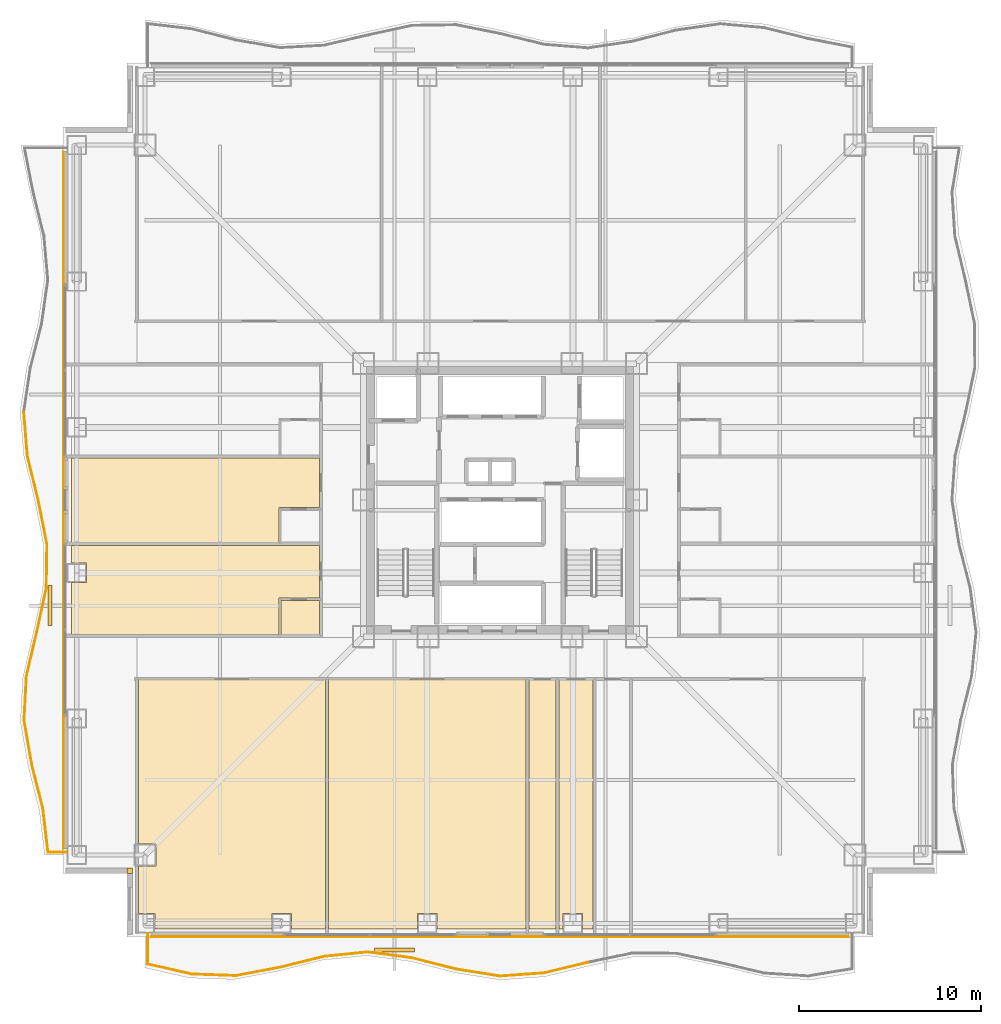
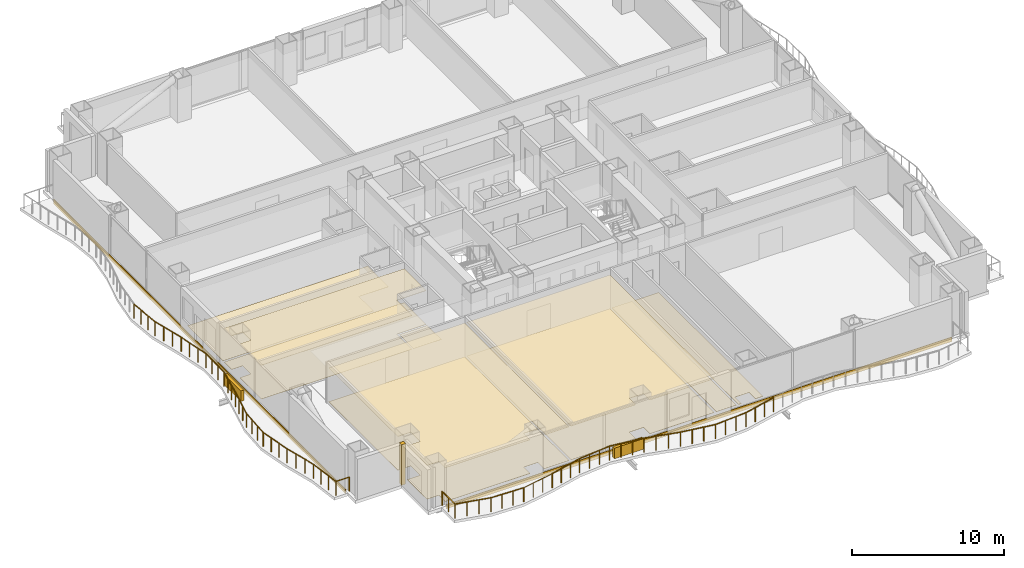
# One storey, part 18 of 24: 22 railings, 13 coverings, 2 shading devices.
"""IFC4 building model written with IfcOpenShell, lengths in metres."""

from ifc_helpers import new_model, si_unit, direction, frame, frame_2d, origin, origin_2d, place, context, subcontext, project, spatial, polyline, rectangle, circle, outline, extrude, material, layer, layer_set, type_object, element, save


model = new_model("IFC4")

# Units and contexts
model_context = context("Model", 3, precision=1e-05, world=origin(), true_north=direction((0.0, 1.0)))
body_context = subcontext(model_context, "Body", "Model", "MODEL_VIEW")
ifc_project = project(units=[si_unit("LENGTHUNIT", "METRE"), si_unit("AREAUNIT", "SQUARE_METRE"), si_unit("VOLUMEUNIT", "CUBIC_METRE"), si_unit("PLANEANGLEUNIT", "RADIAN"), si_unit("MASSUNIT", "GRAM", prefix="KILO")], contexts=[model_context])

# Site, building, storey
site_placement = place(None, origin())
site = spatial("IfcSite", under=ifc_project, at=site_placement, CompositionType="ELEMENT")
building_placement = place(site_placement, origin())
building = spatial("IfcBuilding", under=site, at=building_placement, Name="Trevonay Congress Spire", CompositionType="ELEMENT")
storey_placement = place(building_placement, frame((0.0, 0.0, 55.0)))
storey = spatial("IfcBuildingStorey", under=building, at=storey_placement, Name="L13", CompositionType="ELEMENT", Elevation=55.0)

# Coverings
ifc_material_1 = material(Name="Acoustic Mineral Fibre Board", Category="gypsum")
ifc_layer_1 = layer(ifc_material_1, 0.02490234375, Name="Acoustic Mineral Fibre Board")
ifc_layer_set_1 = layer_set([ifc_layer_1], Name="Acoustic Mineral Fibre Board")
covering_type_1 = type_object("IfcCoveringType", Name="COV-CEIL-ACOUSTIC", PredefinedType="CEILING", material=ifc_layer_set_1)
covering_1_placement = place(storey_placement, frame((0.0, 0.0, 2.699951171875)))
element("IfcCovering", 1, at=covering_1_placement, inside=storey, type_object=covering_type_1, Name="L13 Thermal Hydrotherapy Spa Lounge acoustic suspended ceiling", PredefinedType="CEILING", context=body_context, shape_type="SweptSolid", body=[
    extrude(outline(polyline([(-18.965087890625, -23.550048828125), (-18.965087890625, -22.715087890625), (-19.8701171875, -22.715087890625), (-19.8701171875, -20.110107421875), (-18.889892578125, -20.110107421875), (-18.889892578125, -18.889892578125), (-19.8701171875, -18.889892578125), (-19.8701171875, -9.830078125), (-9.580078125, -9.830078125), (-9.580078125, -23.550048828125), (-11.465087890625, -23.550048828125), (-11.465087890625, -22.715087890625), (-12.534912109375, -22.715087890625), (-12.534912109375, -23.550048828125), (-18.965087890625, -23.550048828125)])), origin(), (0.0, 0.0, 1.0), 0.025146484375),
])
covering_2_placement = place(storey_placement, frame((0.0, 0.0, 2.699951171875)))
element("IfcCovering", 2, at=covering_2_placement, inside=storey, type_object=covering_type_1, Name="L13 Wellness Yoga and Pilates Lounge acoustic suspended ceiling", PredefinedType="CEILING", context=body_context, shape_type="SweptSolid", body=[
    extrude(outline(polyline([(-9.419921875, -23.550048828125), (-9.419921875, -9.830078125), (1.419921875, -9.830078125), (1.419921875, -23.550048828125), (-3.465087890625, -23.550048828125), (-3.465087890625, -22.715087890625), (-4.534912109375, -22.715087890625), (-4.534912109375, -23.550048828125), (-9.419921875, -23.550048828125)])), origin(), (0.0, 0.0, 1.0), 0.025146484375),
])
covering_3_placement = place(storey_placement, frame((0.0, 0.0, 2.699951171875)))
element("IfcCovering", 3, at=covering_3_placement, inside=storey, type_object=covering_type_1, Name="L13 Corner Hotel Suite acoustic suspended ceiling", PredefinedType="CEILING", context=body_context, shape_type="SweptSolid", body=[
    extrude(outline(polyline([(-23.550048828125, -4.534912109375), (-22.715087890625, -4.534912109375), (-22.715087890625, -3.465087890625), (-23.550048828125, -3.465087890625), (-23.550048828125, -2.47998046875), (-9.909912109375, -2.47998046875), (-9.909912109375, -5.3720703125), (-12.139892578125, -5.3720703125), (-12.139892578125, -7.3701171875), (-23.550048828125, -7.3701171875), (-23.550048828125, -4.534912109375)])), origin(), (0.0, 0.0, 1.0), 0.025146484375),
])
ifc_material_2 = material(Name="Polished Granite Floor Tile", Category="masonry")
ifc_layer_2 = layer(ifc_material_2, 0.02001953125, Name="Polished Granite Floor Tile")
ifc_layer_set_2 = layer_set([ifc_layer_2], Name="Polished Granite Floor Tile")
covering_type_2 = type_object("IfcCoveringType", Name="COV-FLOOR-STONE", PredefinedType="FLOORING", material=ifc_layer_set_2)
covering_4_placement = place(storey_placement, origin())
element("IfcCovering", 4, at=covering_4_placement, inside=storey, type_object=covering_type_2, Name="L13 Spa Changing Restroom WC floor finish", PredefinedType="FLOORING", context=body_context, shape_type="SweptSolid", body=[
    extrude(outline(polyline([(1.580078125, -23.550048828125), (3.090087890625, -23.550048828125), (3.090087890625, -9.830078125), (1.580078125, -9.830078125), (1.580078125, -23.550048828125)])), origin(), (0.0, 0.0, 1.0), 0.02001953125),
])
covering_5_placement = place(storey_placement, origin())
element("IfcCovering", 5, at=covering_5_placement, inside=storey, type_object=covering_type_2, Name="L13 Floor Supplies and Copy Room floor finish", PredefinedType="FLOORING", context=body_context, shape_type="SweptSolid", body=[
    extrude(outline(polyline([(3.25, -23.550048828125), (3.25, -9.830078125), (5.1201171875, -9.830078125), (5.1201171875, -23.550048828125), (4.534912109375, -23.550048828125), (4.534912109375, -22.715087890625), (3.465087890625, -22.715087890625), (3.465087890625, -23.550048828125), (3.25, -23.550048828125)])), origin(), (0.0, 0.0, 1.0), 0.02001953125),
])
covering_6_placement = place(storey_placement, origin())
element("IfcCovering", 6, at=covering_6_placement, inside=storey, type_object=covering_type_2, Name="L13 En-suite Bathroom floor finish", PredefinedType="FLOORING", context=body_context, shape_type="SweptSolid", body=[
    extrude(outline(polyline([(-12.02001953125, -7.3701171875), (-9.909912109375, -7.3701171875), (-9.909912109375, -5.511962890625), (-12.02001953125, -5.511962890625), (-12.02001953125, -7.3701171875)])), origin(), (0.0, 0.0, 1.0), 0.02001953125),
])
ifc_material_3 = material(Name="Engineered Oak Flooring", Category="wood")
ifc_layer_3 = layer(ifc_material_3, 0.01806640625, Name="Engineered Oak Flooring")
ifc_layer_set_3 = layer_set([ifc_layer_3], Name="Engineered Oak Flooring")
covering_type_3 = type_object("IfcCoveringType", Name="COV-FLOOR-TIMBER", PredefinedType="FLOORING", material=ifc_layer_set_3)
covering_7_placement = place(storey_placement, origin())
element("IfcCovering", 7, at=covering_7_placement, inside=storey, type_object=covering_type_3, Name="L13 Thermal Hydrotherapy Spa Lounge floor finish", PredefinedType="FLOORING", context=body_context, shape_type="SweptSolid", body=[
    extrude(outline(polyline([(-18.965087890625, -23.550048828125), (-18.965087890625, -22.715087890625), (-19.8701171875, -22.715087890625), (-19.8701171875, -20.110107421875), (-18.889892578125, -20.110107421875), (-18.889892578125, -18.889892578125), (-19.8701171875, -18.889892578125), (-19.8701171875, -9.830078125), (-9.580078125, -9.830078125), (-9.580078125, -23.550048828125), (-11.465087890625, -23.550048828125), (-11.465087890625, -22.715087890625), (-12.534912109375, -22.715087890625), (-12.534912109375, -23.550048828125), (-18.965087890625, -23.550048828125)])), origin(), (0.0, 0.0, 1.0), 0.01806640625),
])
covering_8_placement = place(storey_placement, origin())
element("IfcCovering", 8, at=covering_8_placement, inside=storey, type_object=covering_type_3, Name="L13 Wellness Yoga and Pilates Lounge floor finish", PredefinedType="FLOORING", context=body_context, shape_type="SweptSolid", body=[
    extrude(outline(polyline([(-9.419921875, -23.550048828125), (-9.419921875, -9.830078125), (1.419921875, -9.830078125), (1.419921875, -23.550048828125), (-3.465087890625, -23.550048828125), (-3.465087890625, -22.715087890625), (-4.534912109375, -22.715087890625), (-4.534912109375, -23.550048828125), (-9.419921875, -23.550048828125)])), origin(), (0.0, 0.0, 1.0), 0.01806640625),
])
covering_9_placement = place(storey_placement, origin())
element("IfcCovering", 9, at=covering_9_placement, inside=storey, type_object=covering_type_3, Name="L13 Corner Hotel Suite floor finish", PredefinedType="FLOORING", context=body_context, shape_type="SweptSolid", body=[
    extrude(outline(polyline([(-23.550048828125, -4.534912109375), (-22.715087890625, -4.534912109375), (-22.715087890625, -3.465087890625), (-23.550048828125, -3.465087890625), (-23.550048828125, -2.47998046875), (-9.909912109375, -2.47998046875), (-9.909912109375, -5.3720703125), (-12.139892578125, -5.3720703125), (-12.139892578125, -7.3701171875), (-23.550048828125, -7.3701171875), (-23.550048828125, -4.534912109375)])), origin(), (0.0, 0.0, 1.0), 0.01806640625),
])
covering_10_placement = place(storey_placement, origin())
element("IfcCovering", 10, at=covering_10_placement, inside=storey, type_object=covering_type_3, Name="L13 Corner Hotel Suite floor finish", PredefinedType="FLOORING", context=body_context, shape_type="SweptSolid", body=[
    extrude(outline(polyline([(-23.550048828125, -2.320068359375), (-23.550048828125, 2.320068359375), (-9.909912109375, 2.320068359375), (-9.909912109375, -0.4169921875), (-12.139892578125, -0.4169921875), (-12.139892578125, -2.320068359375), (-23.550048828125, -2.320068359375)])), origin(), (0.0, 0.0, 1.0), 0.01806640625),
])
ifc_material_4 = material(Name="Pale Anodised Aluminium EN AW-6063-T6", Category="aluminium")
ifc_layer_4 = layer(ifc_material_4, 0.0400390625, Name="Pale Anodised Aluminium EN AW-6063-T6")
ifc_layer_set_4 = layer_set([ifc_layer_4], Name="Pale Anodised Aluminium EN AW-6063-T6")
covering_type_4 = type_object("IfcCoveringType", Name="COV-SPANDREL-PALE-METAL", PredefinedType="CLADDING", material=ifc_layer_set_4)
for number, where, z_axis, x_axis, name in (
    (11, (-19.14990234375, -23.97998046875, -0.239990234375), (0.0, 0.0, 1.0), (1.0, 0.0, 0.0), "L13 S pale-metal slab-edge spandrel cladding"),
    (12, (-23.97998046875, -19.14990234375, -0.239990234375), (0.0, 0.0, 1.0), (0.0, 1.0, 0.0), "L13 W pale-metal slab-edge spandrel cladding"),
):
    element("IfcCovering", number, at=place(storey_placement, frame(where, z_axis=z_axis, x_axis=x_axis)), inside=storey, type_object=covering_type_4, Name=name, PredefinedType="CLADDING", context=body_context, shape_type="SweptSolid", body=[
        extrude(rectangle(XDim=38.2998046875, YDim=0.0400390625, at=frame_2d((19.14990234375, 0.0))), origin(), (0.0, 0.0, 1.0), 0.360107421875),
    ])
covering_11_placement = place(storey_placement, origin())
element("IfcCovering", 13, at=covering_11_placement, inside=storey, type_object=covering_type_4, Name="L13 SW re-entrant notch corner closure trim", PredefinedType="CLADDING", context=body_context, shape_type="SweptSolid", body=[
    extrude(outline(polyline([(-20.5, -20.5), (-20.199951171875, -20.5), (-20.199951171875, -20.199951171875), (-20.5, -20.199951171875), (-20.5, -20.5)])), origin(), (0.0, 0.0, 1.0), 3.25),
])

# Railings
railing_type = type_object("IfcRailingType", Name="RAL-EXT-GUARD-115", PredefinedType="GUARDRAIL", material=ifc_material_4)
railing_1_placement = place(storey_placement, frame((-19.343994140625, -25.493896484375, 0.0)))
element("IfcRailing", 14, at=railing_1_placement, inside=storey, type_object=railing_type, Name="L13 perimeter safety guard GRD-L13-WAV-S-1", PredefinedType="GUARDRAIL", context=body_context, shape_type="SweptSolid", body=[
    extrude(circle(Radius=0.02392578125, at=origin_2d()), frame((0.0, 0.0, 1.1259765625), z_axis=(0.975258447856, -0.221067772156, 0.0), x_axis=(0.221067772156, 0.975258447856, 0.0)), (0.0, 0.0, 1.0), 2.479248046875),
    extrude(circle(Radius=0.02099609375, at=origin_2d()), origin(), (0.0, 0.0, 1.0), 1.101806640625),
    extrude(circle(Radius=0.02099609375, at=origin_2d()), frame((0.805908203125, -0.1826171875, 0.0)), (0.0, 0.0, 1.0), 1.101806640625),
    extrude(circle(Radius=0.02099609375, at=origin_2d()), frame((1.612060546875, -0.365478515625, 0.0)), (0.0, 0.0, 1.0), 1.101806640625),
    extrude(circle(Radius=0.02099609375, at=origin_2d()), frame((2.41796875, -0.548095703125, 0.0)), (0.0, 0.0, 1.0), 1.101806640625),
])
railing_2_placement = place(storey_placement, frame((-16.926025390625, -26.0419921875, 0.0)))
element("IfcRailing", 15, at=railing_2_placement, inside=storey, type_object=railing_type, Name="L13 perimeter safety guard GRD-L13-WAV-S-2", PredefinedType="GUARDRAIL", context=body_context, shape_type="SweptSolid", body=[
    extrude(circle(Radius=0.02392578125, at=origin_2d()), frame((0.0, 0.0, 1.1259765625), z_axis=(0.999411260853, -0.034309352654, 0.0), x_axis=(0.034309352654, 0.999411260853, 0.0)), (0.0, 0.0, 1.0), 2.41943359375),
    extrude(circle(Radius=0.02099609375, at=origin_2d()), origin(), (0.0, 0.0, 1.0), 1.101806640625),
    extrude(circle(Radius=0.02099609375, at=origin_2d()), frame((0.805908203125, -0.027587890625, 0.0)), (0.0, 0.0, 1.0), 1.101806640625),
    extrude(circle(Radius=0.02099609375, at=origin_2d()), frame((1.612060546875, -0.055419921875, 0.0)), (0.0, 0.0, 1.0), 1.101806640625),
    extrude(circle(Radius=0.02099609375, at=origin_2d()), frame((2.41796875, -0.0830078125, 0.0)), (0.0, 0.0, 1.0), 1.101806640625),
])
railing_3_placement = place(storey_placement, frame((-14.508056640625, -26.125, 0.0)))
element("IfcRailing", 16, at=railing_3_placement, inside=storey, type_object=railing_type, Name="L13 perimeter safety guard GRD-L13-WAV-S-3", PredefinedType="GUARDRAIL", context=body_context, shape_type="SweptSolid", body=[
    extrude(circle(Radius=0.02392578125, at=origin_2d()), frame((0.0, 0.0, 1.1259765625), z_axis=(0.982979883593, 0.183713223398, 0.0), x_axis=(-0.183713223398, 0.982979883593, 0.0)), (0.0, 0.0, 1.0), 2.459716796875),
    extrude(circle(Radius=0.02099609375, at=origin_2d()), origin(), (0.0, 0.0, 1.0), 1.101806640625),
    extrude(circle(Radius=0.02099609375, at=origin_2d()), frame((0.805908203125, 0.150634765625, 0.0)), (0.0, 0.0, 1.0), 1.101806640625),
    extrude(circle(Radius=0.02099609375, at=origin_2d()), frame((1.612060546875, 0.30126953125, 0.0)), (0.0, 0.0, 1.0), 1.101806640625),
    extrude(circle(Radius=0.02099609375, at=origin_2d()), frame((2.41796875, 0.451904296875, 0.0)), (0.0, 0.0, 1.0), 1.101806640625),
])
railing_4_placement = place(storey_placement, frame((-12.090087890625, -25.673095703125, 0.0)))
element("IfcRailing", 17, at=railing_4_placement, inside=storey, type_object=railing_type, Name="L13 perimeter safety guard GRD-L13-WAV-S-4", PredefinedType="GUARDRAIL", context=body_context, shape_type="SweptSolid", body=[
    extrude(circle(Radius=0.02392578125, at=origin_2d()), frame((0.0, 0.0, 1.1259765625), z_axis=(0.970280650961, 0.241982351361, 0.0), x_axis=(-0.241982351361, 0.970280650961, 0.0)), (0.0, 0.0, 1.0), 2.491943359375),
    extrude(circle(Radius=0.02099609375, at=origin_2d()), origin(), (0.0, 0.0, 1.0), 1.101806640625),
    extrude(circle(Radius=0.02099609375, at=origin_2d()), frame((0.805908203125, 0.200927734375, 0.0)), (0.0, 0.0, 1.0), 1.101806640625),
    extrude(circle(Radius=0.02099609375, at=origin_2d()), frame((1.612060546875, 0.402099609375, 0.0)), (0.0, 0.0, 1.0), 1.101806640625),
    extrude(circle(Radius=0.02099609375, at=origin_2d()), frame((2.41796875, 0.60302734375, 0.0)), (0.0, 0.0, 1.0), 1.101806640625),
])
railing_5_placement = place(storey_placement, frame((-9.672119140625, -25.070068359375, 0.0)))
element("IfcRailing", 18, at=railing_5_placement, inside=storey, type_object=railing_type, Name="L13 perimeter safety guard GRD-L13-WAV-S-5", PredefinedType="GUARDRAIL", context=body_context, shape_type="SweptSolid", body=[
    extrude(circle(Radius=0.02392578125, at=origin_2d()), frame((0.0, 0.0, 1.1259765625), z_axis=(0.994982337975, 0.100050722728, 0.0), x_axis=(-0.100050722728, 0.994982337975, 0.0)), (0.0, 0.0, 1.0), 2.430419921875),
    extrude(circle(Radius=0.02099609375, at=origin_2d()), origin(), (0.0, 0.0, 1.0), 1.101806640625),
    extrude(circle(Radius=0.02099609375, at=origin_2d()), frame((0.80615234375, 0.0810546875, 0.0)), (0.0, 0.0, 1.0), 1.101806640625),
    extrude(circle(Radius=0.02099609375, at=origin_2d()), frame((1.612060546875, 0.162109375, 0.0)), (0.0, 0.0, 1.0), 1.101806640625),
    extrude(circle(Radius=0.02099609375, at=origin_2d()), frame((2.418212890625, 0.2431640625, 0.0)), (0.0, 0.0, 1.0), 1.101806640625),
])
railing_6_placement = place(storey_placement, frame((-7.25390625, -24.826904296875, 0.0)))
element("IfcRailing", 19, at=railing_6_placement, inside=storey, type_object=railing_type, Name="L13 perimeter safety guard GRD-L13-WAV-S-6", PredefinedType="GUARDRAIL", context=body_context, shape_type="SweptSolid", body=[
    extrude(circle(Radius=0.02392578125, at=origin_2d()), frame((0.0, 0.0, 1.1259765625), z_axis=(0.99119553064, -0.132406268885, 0.0), x_axis=(0.132406268885, 0.99119553064, 0.0)), (0.0, 0.0, 1.0), 2.439453125),
    extrude(circle(Radius=0.02099609375, at=origin_2d()), origin(), (0.0, 0.0, 1.0), 1.101806640625),
    extrude(circle(Radius=0.02099609375, at=origin_2d()), frame((0.805908203125, -0.107666015625, 0.0)), (0.0, 0.0, 1.0), 1.101806640625),
    extrude(circle(Radius=0.02099609375, at=origin_2d()), frame((1.612060546875, -0.21533203125, 0.0)), (0.0, 0.0, 1.0), 1.101806640625),
    extrude(circle(Radius=0.02099609375, at=origin_2d()), frame((2.41796875, -0.322998046875, 0.0)), (0.0, 0.0, 1.0), 1.101806640625),
])
railing_7_placement = place(storey_placement, frame((-4.8359375, -25.14990234375, 0.0)))
element("IfcRailing", 20, at=railing_7_placement, inside=storey, type_object=railing_type, Name="L13 perimeter safety guard GRD-L13-WAV-S-7", PredefinedType="GUARDRAIL", context=body_context, shape_type="SweptSolid", body=[
    extrude(circle(Radius=0.02392578125, at=origin_2d()), frame((0.0, 0.0, 1.1259765625), z_axis=(0.969144366624, -0.246493806495, 0.0), x_axis=(0.246493806495, 0.969144366624, 0.0)), (0.0, 0.0, 1.0), 2.494873046875),
    extrude(circle(Radius=0.02099609375, at=origin_2d()), origin(), (0.0, 0.0, 1.0), 1.101806640625),
    extrude(circle(Radius=0.02099609375, at=origin_2d()), frame((0.805908203125, -0.205078125, 0.0)), (0.0, 0.0, 1.0), 1.101806640625),
    extrude(circle(Radius=0.02099609375, at=origin_2d()), frame((1.612060546875, -0.409912109375, 0.0)), (0.0, 0.0, 1.0), 1.101806640625),
    extrude(circle(Radius=0.02099609375, at=origin_2d()), frame((2.41796875, -0.614990234375, 0.0)), (0.0, 0.0, 1.0), 1.101806640625),
])
railing_8_placement = place(storey_placement, frame((-2.41796875, -25.764892578125, 0.0)))
element("IfcRailing", 21, at=railing_8_placement, inside=storey, type_object=railing_type, Name="L13 perimeter safety guard GRD-L13-WAV-S-8", PredefinedType="GUARDRAIL", context=body_context, shape_type="SweptSolid", body=[
    extrude(circle(Radius=0.02392578125, at=origin_2d()), frame((0.0, 0.0, 1.1259765625), z_axis=(0.987497188341, -0.157636617, 0.0), x_axis=(0.157636617, 0.987497188341, 0.0)), (0.0, 0.0, 1.0), 2.448486328125),
    extrude(circle(Radius=0.02099609375, at=origin_2d()), origin(), (0.0, 0.0, 1.0), 1.101806640625),
    extrude(circle(Radius=0.02099609375, at=origin_2d()), frame((0.805908203125, -0.128662109375, 0.0)), (0.0, 0.0, 1.0), 1.101806640625),
    extrude(circle(Radius=0.02099609375, at=origin_2d()), frame((1.612060546875, -0.25732421875, 0.0)), (0.0, 0.0, 1.0), 1.101806640625),
    extrude(circle(Radius=0.02099609375, at=origin_2d()), frame((2.41796875, -0.385986328125, 0.0)), (0.0, 0.0, 1.0), 1.101806640625),
])
railing_9_placement = place(storey_placement, frame((0.0, -26.15087890625, 0.0)))
element("IfcRailing", 22, at=railing_9_placement, inside=storey, type_object=railing_type, Name="L13 perimeter safety guard GRD-L13-WAV-S-9", PredefinedType="GUARDRAIL", context=body_context, shape_type="SweptSolid", body=[
    extrude(circle(Radius=0.02392578125, at=origin_2d()), frame((0.0, 0.0, 1.1259765625), z_axis=(0.997483180405, 0.070903489399, 0.0), x_axis=(-0.070903489399, 0.997483180405, 0.0)), (0.0, 0.0, 1.0), 2.424072265625),
    extrude(circle(Radius=0.02099609375, at=origin_2d()), origin(), (0.0, 0.0, 1.0), 1.101806640625),
    extrude(circle(Radius=0.02099609375, at=origin_2d()), frame((0.805908203125, 0.057373046875, 0.0)), (0.0, 0.0, 1.0), 1.101806640625),
    extrude(circle(Radius=0.02099609375, at=origin_2d()), frame((1.612060546875, 0.114501953125, 0.0)), (0.0, 0.0, 1.0), 1.101806640625),
    extrude(circle(Radius=0.02099609375, at=origin_2d()), frame((2.41796875, 0.171875, 0.0)), (0.0, 0.0, 1.0), 1.101806640625),
])
railing_10_placement = place(storey_placement, frame((2.41796875, -25.97900390625, 0.0)))
element("IfcRailing", 23, at=railing_10_placement, inside=storey, type_object=railing_type, Name="L13 perimeter safety guard GRD-L13-WAV-S-10", PredefinedType="GUARDRAIL", context=body_context, shape_type="SweptSolid", body=[
    extrude(circle(Radius=0.02392578125, at=origin_2d()), frame((0.0, 0.0, 1.1259765625), z_axis=(0.972140851438, 0.234397450852, 0.0), x_axis=(-0.234397450852, 0.972140851438, 0.0)), (0.0, 0.0, 1.0), 2.4873046875),
    extrude(circle(Radius=0.02099609375, at=origin_2d()), origin(), (0.0, 0.0, 1.0), 1.101806640625),
    extrude(circle(Radius=0.02099609375, at=origin_2d()), frame((0.805908203125, 0.1943359375, 0.0)), (0.0, 0.0, 1.0), 1.101806640625),
    extrude(circle(Radius=0.02099609375, at=origin_2d()), frame((1.612060546875, 0.388671875, 0.0)), (0.0, 0.0, 1.0), 1.101806640625),
    extrude(circle(Radius=0.02099609375, at=origin_2d()), frame((2.41796875, 0.5830078125, 0.0)), (0.0, 0.0, 1.0), 1.101806640625),
])
railing_11_placement = place(storey_placement, frame((-19.343994140625, -23.80810546875, 0.0)))
element("IfcRailing", 24, at=railing_11_placement, inside=storey, type_object=railing_type, Name="L13 perimeter safety guard GRD-L13-WAV-S-34", PredefinedType="GUARDRAIL", context=body_context, shape_type="SweptSolid", body=[
    extrude(circle(Radius=0.02392578125, at=origin_2d()), frame((0.0, 0.0, 1.1259765625), z_axis=(0.0, -1.0, 0.0), x_axis=(1.0, 0.0, 0.0)), (0.0, 0.0, 1.0), 1.685791015625),
    extrude(circle(Radius=0.02099609375, at=origin_2d()), origin(), (0.0, 0.0, 1.0), 1.101806640625),
    extrude(circle(Radius=0.02099609375, at=origin_2d()), frame((0.0, -0.8427734375, 0.0)), (0.0, 0.0, 1.0), 1.101806640625),
    extrude(circle(Radius=0.02099609375, at=origin_2d()), frame((0.0, -1.685791015625, 0.0)), (0.0, 0.0, 1.0), 1.101806640625),
])
railing_12_placement = place(storey_placement, frame((-26.156982421875, 4.8359375, 0.0)))
element("IfcRailing", 25, at=railing_12_placement, inside=storey, type_object=railing_type, Name="L13 perimeter safety guard GRD-L13-WAV-W-24", PredefinedType="GUARDRAIL", context=body_context, shape_type="SweptSolid", body=[
    extrude(circle(Radius=0.02392578125, at=origin_2d()), frame((0.0, 0.0, 1.1259765625), z_axis=(0.082412561284, -0.996598299087, 0.0), x_axis=(0.996598299087, 0.082412561284, 0.0)), (0.0, 0.0, 1.0), 2.42626953125),
    extrude(circle(Radius=0.02099609375, at=origin_2d()), origin(), (0.0, 0.0, 1.0), 1.101806640625),
    extrude(circle(Radius=0.02099609375, at=origin_2d()), frame((0.066650390625, -0.805908203125, 0.0)), (0.0, 0.0, 1.0), 1.101806640625),
    extrude(circle(Radius=0.02099609375, at=origin_2d()), frame((0.13330078125, -1.612060546875, 0.0)), (0.0, 0.0, 1.0), 1.101806640625),
    extrude(circle(Radius=0.02099609375, at=origin_2d()), frame((0.199951171875, -2.41796875, 0.0)), (0.0, 0.0, 1.0), 1.101806640625),
])
railing_13_placement = place(storey_placement, frame((-25.95703125, 2.41796875, 0.0)))
element("IfcRailing", 26, at=railing_13_placement, inside=storey, type_object=railing_type, Name="L13 perimeter safety guard GRD-L13-WAV-W-25", PredefinedType="GUARDRAIL", context=body_context, shape_type="SweptSolid", body=[
    extrude(circle(Radius=0.02392578125, at=origin_2d()), frame((0.0, 0.0, 1.1259765625), z_axis=(0.238565294418, -0.971126459479, 0.0), x_axis=(0.971126459479, 0.238565294418, 0.0)), (0.0, 0.0, 1.0), 2.48974609375),
    extrude(circle(Radius=0.02099609375, at=origin_2d()), origin(), (0.0, 0.0, 1.0), 1.101806640625),
    extrude(circle(Radius=0.02099609375, at=origin_2d()), frame((0.197998046875, -0.805908203125, 0.0)), (0.0, 0.0, 1.0), 1.101806640625),
    extrude(circle(Radius=0.02099609375, at=origin_2d()), frame((0.39599609375, -1.612060546875, 0.0)), (0.0, 0.0, 1.0), 1.101806640625),
    extrude(circle(Radius=0.02099609375, at=origin_2d()), frame((0.593994140625, -2.41796875, 0.0)), (0.0, 0.0, 1.0), 1.101806640625),
])
railing_14_placement = place(storey_placement, frame((-25.363037109375, 0.0, 0.0)))
element("IfcRailing", 27, at=railing_14_placement, inside=storey, type_object=railing_type, Name="L13 perimeter safety guard GRD-L13-WAV-W-26", PredefinedType="GUARDRAIL", context=body_context, shape_type="SweptSolid", body=[
    extrude(circle(Radius=0.02392578125, at=origin_2d()), frame((0.0, 0.0, 1.1259765625), z_axis=(0.195087646488, -0.980785812595, 0.0), x_axis=(0.980785812595, 0.195087646488, 0.0)), (0.0, 0.0, 1.0), 2.46533203125),
    extrude(circle(Radius=0.02099609375, at=origin_2d()), origin(), (0.0, 0.0, 1.0), 1.101806640625),
    extrude(circle(Radius=0.02099609375, at=origin_2d()), frame((0.160400390625, -0.805908203125, 0.0)), (0.0, 0.0, 1.0), 1.101806640625),
    extrude(circle(Radius=0.02099609375, at=origin_2d()), frame((0.320556640625, -1.612060546875, 0.0)), (0.0, 0.0, 1.0), 1.101806640625),
    extrude(circle(Radius=0.02099609375, at=origin_2d()), frame((0.48095703125, -2.41796875, 0.0)), (0.0, 0.0, 1.0), 1.101806640625),
])
railing_15_placement = place(storey_placement, frame((-24.882080078125, -2.41796875, 0.0)))
element("IfcRailing", 28, at=railing_15_placement, inside=storey, type_object=railing_type, Name="L13 perimeter safety guard GRD-L13-WAV-W-27", PredefinedType="GUARDRAIL", context=body_context, shape_type="SweptSolid", body=[
    extrude(circle(Radius=0.02392578125, at=origin_2d()), frame((0.0, 0.0, 1.1259765625), z_axis=(-0.015648326071, -0.99987755745, 0.0), x_axis=(0.99987755745, -0.015648326071, 0.0)), (0.0, 0.0, 1.0), 2.418212890625),
    extrude(circle(Radius=0.02099609375, at=origin_2d()), origin(), (0.0, 0.0, 1.0), 1.101806640625),
    extrude(circle(Radius=0.02099609375, at=origin_2d()), frame((-0.0126953125, -0.805908203125, 0.0)), (0.0, 0.0, 1.0), 1.101806640625),
    extrude(circle(Radius=0.02099609375, at=origin_2d()), frame((-0.025146484375, -1.612060546875, 0.0)), (0.0, 0.0, 1.0), 1.101806640625),
    extrude(circle(Radius=0.02099609375, at=origin_2d()), frame((-0.037841796875, -2.41796875, 0.0)), (0.0, 0.0, 1.0), 1.101806640625),
])
railing_16_placement = place(storey_placement, frame((-24.919921875, -4.8359375, 0.0)))
element("IfcRailing", 29, at=railing_16_placement, inside=storey, type_object=railing_type, Name="L13 perimeter safety guard GRD-L13-WAV-W-28", PredefinedType="GUARDRAIL", context=body_context, shape_type="SweptSolid", body=[
    extrude(circle(Radius=0.02392578125, at=origin_2d()), frame((0.0, 0.0, 1.1259765625), z_axis=(-0.212237110902, -0.977218199153, 0.0), x_axis=(0.977218199153, -0.212237110902, 0.0)), (0.0, 0.0, 1.0), 2.474365234375),
    extrude(circle(Radius=0.02099609375, at=origin_2d()), origin(), (0.0, 0.0, 1.0), 1.101806640625),
    extrude(circle(Radius=0.02099609375, at=origin_2d()), frame((-0.175048828125, -0.805908203125, 0.0)), (0.0, 0.0, 1.0), 1.101806640625),
    extrude(circle(Radius=0.02099609375, at=origin_2d()), frame((-0.35009765625, -1.612060546875, 0.0)), (0.0, 0.0, 1.0), 1.101806640625),
    extrude(circle(Radius=0.02099609375, at=origin_2d()), frame((-0.525146484375, -2.41796875, 0.0)), (0.0, 0.0, 1.0), 1.101806640625),
])
railing_17_placement = place(storey_placement, frame((-25.445068359375, -7.25390625, 0.0)))
element("IfcRailing", 30, at=railing_17_placement, inside=storey, type_object=railing_type, Name="L13 perimeter safety guard GRD-L13-WAV-W-29", PredefinedType="GUARDRAIL", context=body_context, shape_type="SweptSolid", body=[
    extrude(circle(Radius=0.02392578125, at=origin_2d()), frame((0.0, 0.0, 1.1259765625), z_axis=(-0.228239366382, -0.9736050491, 0.0), x_axis=(0.9736050491, -0.228239366382, 0.0)), (0.0, 0.0, 1.0), 2.48388671875),
    extrude(circle(Radius=0.02099609375, at=origin_2d()), origin(), (0.0, 0.0, 1.0), 1.101806640625),
    extrude(circle(Radius=0.02099609375, at=origin_2d()), frame((-0.18896484375, -0.80615234375, 0.0)), (0.0, 0.0, 1.0), 1.101806640625),
    extrude(circle(Radius=0.02099609375, at=origin_2d()), frame((-0.3779296875, -1.612060546875, 0.0)), (0.0, 0.0, 1.0), 1.101806640625),
    extrude(circle(Radius=0.02099609375, at=origin_2d()), frame((-0.56689453125, -2.418212890625, 0.0)), (0.0, 0.0, 1.0), 1.101806640625),
])
railing_18_placement = place(storey_placement, frame((-26.011962890625, -9.672119140625, 0.0)))
element("IfcRailing", 31, at=railing_18_placement, inside=storey, type_object=railing_type, Name="L13 perimeter safety guard GRD-L13-WAV-W-30", PredefinedType="GUARDRAIL", context=body_context, shape_type="SweptSolid", body=[
    extrude(circle(Radius=0.02392578125, at=origin_2d()), frame((0.0, 0.0, 1.1259765625), z_axis=(-0.05283401992, -0.998603307795, 0.0), x_axis=(0.998603307795, -0.05283401992, 0.0)), (0.0, 0.0, 1.0), 2.42138671875),
    extrude(circle(Radius=0.02099609375, at=origin_2d()), origin(), (0.0, 0.0, 1.0), 1.101806640625),
    extrude(circle(Radius=0.02099609375, at=origin_2d()), frame((-0.042724609375, -0.805908203125, 0.0)), (0.0, 0.0, 1.0), 1.101806640625),
    extrude(circle(Radius=0.02099609375, at=origin_2d()), frame((-0.085205078125, -1.612060546875, 0.0)), (0.0, 0.0, 1.0), 1.101806640625),
    extrude(circle(Radius=0.02099609375, at=origin_2d()), frame((-0.1279296875, -2.41796875, 0.0)), (0.0, 0.0, 1.0), 1.101806640625),
])
railing_19_placement = place(storey_placement, frame((-26.139892578125, -12.090087890625, 0.0)))
element("IfcRailing", 32, at=railing_19_placement, inside=storey, type_object=railing_type, Name="L13 perimeter safety guard GRD-L13-WAV-W-31", PredefinedType="GUARDRAIL", context=body_context, shape_type="SweptSolid", body=[
    extrude(circle(Radius=0.02392578125, at=origin_2d()), frame((0.0, 0.0, 1.1259765625), z_axis=(0.171106067872, -0.985252614073, 0.0), x_axis=(0.985252614073, 0.171106067872, 0.0)), (0.0, 0.0, 1.0), 2.4541015625),
    extrude(circle(Radius=0.02099609375, at=origin_2d()), origin(), (0.0, 0.0, 1.0), 1.101806640625),
    extrude(circle(Radius=0.02099609375, at=origin_2d()), frame((0.139892578125, -0.805908203125, 0.0)), (0.0, 0.0, 1.0), 1.101806640625),
    extrude(circle(Radius=0.02099609375, at=origin_2d()), frame((0.280029296875, -1.612060546875, 0.0)), (0.0, 0.0, 1.0), 1.101806640625),
    extrude(circle(Radius=0.02099609375, at=origin_2d()), frame((0.419921875, -2.41796875, 0.0)), (0.0, 0.0, 1.0), 1.101806640625),
])
railing_20_placement = place(storey_placement, frame((-25.719970703125, -14.508056640625, 0.0)))
element("IfcRailing", 33, at=railing_20_placement, inside=storey, type_object=railing_type, Name="L13 perimeter safety guard GRD-L13-WAV-W-32", PredefinedType="GUARDRAIL", context=body_context, shape_type="SweptSolid", body=[
    extrude(circle(Radius=0.02392578125, at=origin_2d()), frame((0.0, 0.0, 1.1259765625), z_axis=(0.245022423467, -0.969517411911, 0.0), x_axis=(0.969517411911, 0.245022423467, 0.0)), (0.0, 0.0, 1.0), 2.493896484375),
    extrude(circle(Radius=0.02099609375, at=origin_2d()), origin(), (0.0, 0.0, 1.0), 1.101806640625),
    extrude(circle(Radius=0.02099609375, at=origin_2d()), frame((0.20361328125, -0.805908203125, 0.0)), (0.0, 0.0, 1.0), 1.101806640625),
    extrude(circle(Radius=0.02099609375, at=origin_2d()), frame((0.407470703125, -1.612060546875, 0.0)), (0.0, 0.0, 1.0), 1.101806640625),
    extrude(circle(Radius=0.02099609375, at=origin_2d()), frame((0.611083984375, -2.41796875, 0.0)), (0.0, 0.0, 1.0), 1.101806640625),
])
railing_21_placement = place(storey_placement, frame((-25.10888671875, -16.926025390625, 0.0)))
element("IfcRailing", 34, at=railing_21_placement, inside=storey, type_object=railing_type, Name="L13 perimeter safety guard GRD-L13-WAV-W-33", PredefinedType="GUARDRAIL", context=body_context, shape_type="SweptSolid", body=[
    extrude(circle(Radius=0.02392578125, at=origin_2d()), frame((0.0, 0.0, 1.1259765625), z_axis=(0.116625967358, -0.993175907751, 0.0), x_axis=(0.993175907751, 0.116625967358, 0.0)), (0.0, 0.0, 1.0), 2.4345703125),
    extrude(circle(Radius=0.02099609375, at=origin_2d()), origin(), (0.0, 0.0, 1.0), 1.101806640625),
    extrude(circle(Radius=0.02099609375, at=origin_2d()), frame((0.0947265625, -0.805908203125, 0.0)), (0.0, 0.0, 1.0), 1.101806640625),
    extrude(circle(Radius=0.02099609375, at=origin_2d()), frame((0.189208984375, -1.612060546875, 0.0)), (0.0, 0.0, 1.0), 1.101806640625),
    extrude(circle(Radius=0.02099609375, at=origin_2d()), frame((0.283935546875, -2.41796875, 0.0)), (0.0, 0.0, 1.0), 1.101806640625),
])
railing_22_placement = place(storey_placement, frame((-24.824951171875, -19.343994140625, 0.0)))
element("IfcRailing", 35, at=railing_22_placement, inside=storey, type_object=railing_type, Name="L13 perimeter safety guard GRD-L13-WAV-W-34", PredefinedType="GUARDRAIL", context=body_context, shape_type="SweptSolid", body=[
    extrude(circle(Radius=0.02392578125, at=origin_2d()), frame((0.0, 0.0, 1.1259765625), z_axis=(1.0, 0.0, 0.0), x_axis=(0.0, 1.0, 0.0)), (0.0, 0.0, 1.0), 1.016845703125),
    extrude(circle(Radius=0.02099609375, at=origin_2d()), origin(), (0.0, 0.0, 1.0), 1.101806640625),
    extrude(circle(Radius=0.02099609375, at=origin_2d()), frame((1.016845703125, 0.0, 0.0)), (0.0, 0.0, 1.0), 1.101806640625),
])

# Shading devices
shading_device_type = type_object("IfcShadingDeviceType", Name="SHD-LOUVRE-WAVE-ALUM", PredefinedType="USERDEFINED", material=ifc_material_4)
for number, where, z_axis, x_axis, name in (
    (36, (-5.800048828125, -24.719970703125, -0.01513671875), (0.0, 0.0, 1.0), (1.0, 0.0, 0.0), "L13 S sinusoidal balcony horizontal sunshade louvre"),
    (37, (-24.719970703125, -5.800048828125, -0.01513671875), (0.0, 0.0, 1.0), (0.0, 1.0, 0.0), "L13 W sinusoidal balcony horizontal sunshade louvre"),
):
    element("IfcShadingDevice", number, at=place(storey_placement, frame(where, z_axis=z_axis, x_axis=x_axis)), inside=storey, type_object=shading_device_type, Name=name, ObjectType="LOUVRE", PredefinedType="USERDEFINED", context=body_context, shape_type="SweptSolid", body=[
        extrude(rectangle(XDim=2.199951171875, YDim=0.219970703125, at=origin_2d()), origin(), (0.0, 0.0, 1.0), 0.85009765625),
    ])

save(model, "model.ifc")
